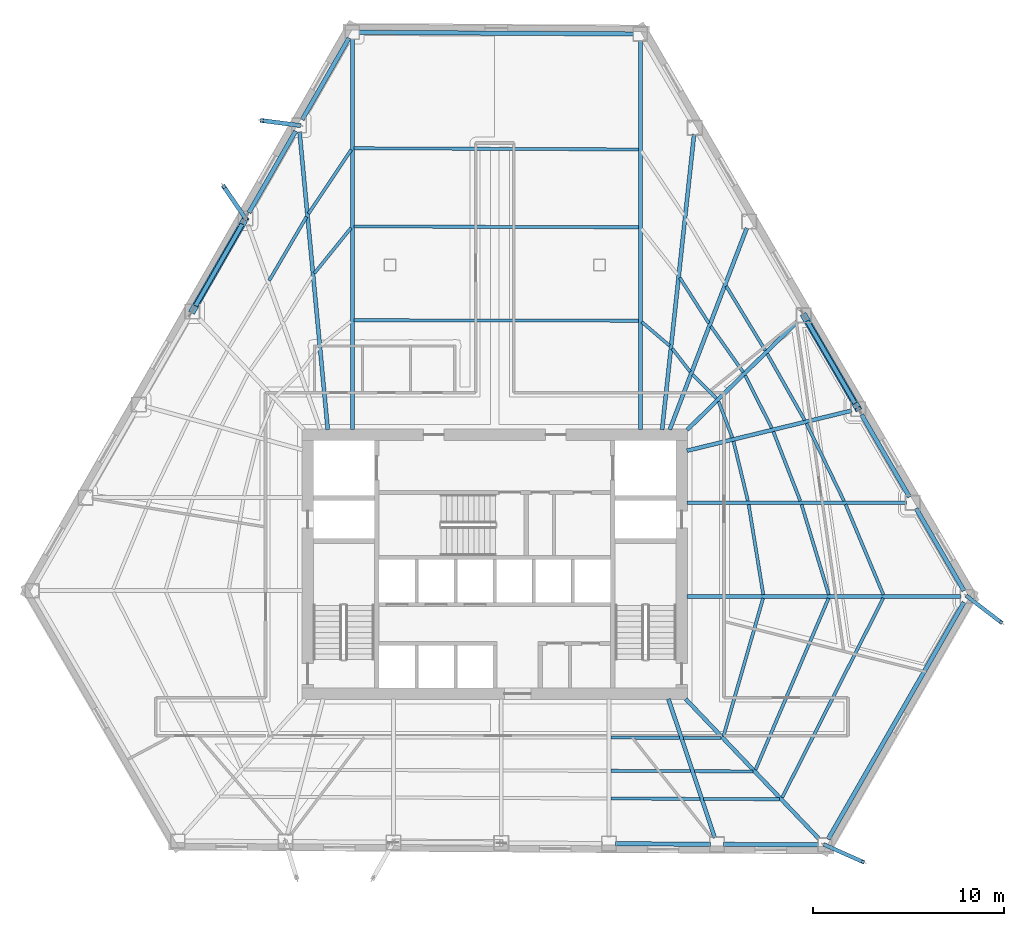
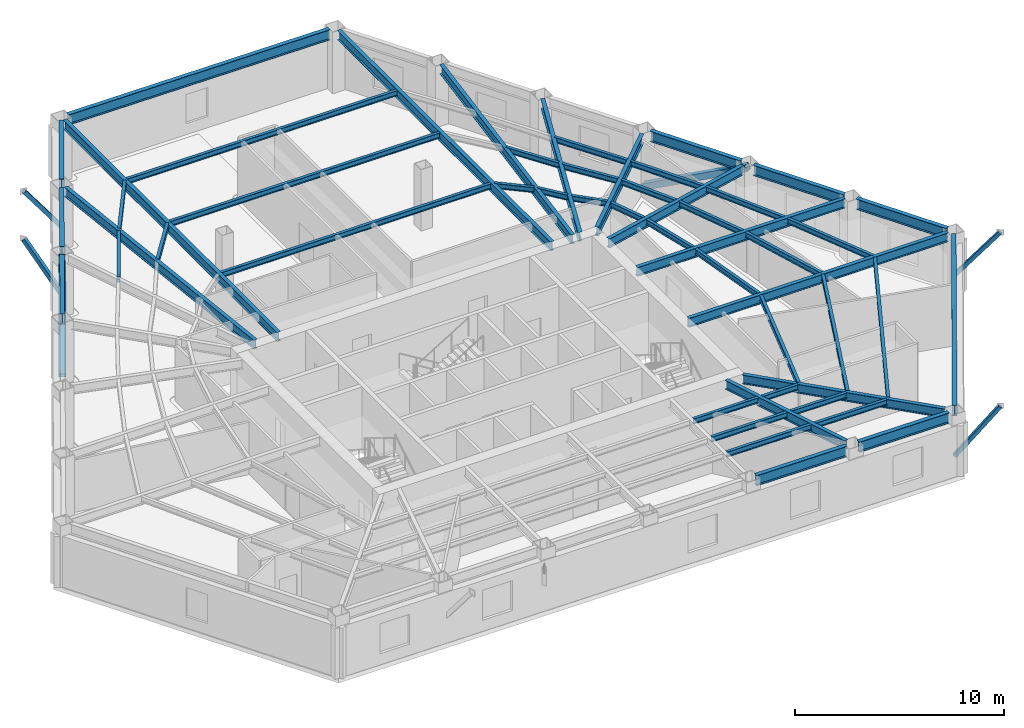
# One storey, part 2 of 12: 51 beams, 6 members.
"""IFC4 building model written with IfcOpenShell, lengths in metres."""

import ifcopenshell
import ifcopenshell.guid

model = None  # the IFC model being written
_history = None  # IfcOwnerHistory: only IFC2X3 demands one
_inside = {}  # id of a spatial element -> (the spatial element, [elements in it])
_under = {}  # id of a project, library or spatial element -> (it, [spatial elements below it])
_declared = {}  # id of a project -> (the project, [libraries it declares])
_typed = {}  # id of a type object -> (the type object, [elements of that type])
_made_of = {}  # id of a material, layer set ... -> (it, [elements and type objects made of it])


def new_model(schema):
    """Start an empty IFC model of exactly this schema.

    Asked for "IFC4X3", IfcOpenShell would pick the latest addendum, in which some entities
    have other attributes; the version numbers below select the first issue.
    IFC2X3 requires an IfcOwnerHistory on every rooted entity: one is made here for all.
    """
    global model, _history
    if schema == "IFC4X3":
        model = ifcopenshell.file(schema_version=(4, 3, 0, 0))
    else:
        model = ifcopenshell.file(schema=schema)
    _inside.clear()
    _under.clear()
    _declared.clear()
    _typed.clear()
    _made_of.clear()
    _history = None
    if model.schema == "IFC2X3":
        org = make("IfcOrganization", Name="unknown")
        user = make(
            "IfcPersonAndOrganization",
            ThePerson=make("IfcPerson", FamilyName="unknown"),
            TheOrganization=org,
        )
        app = make(
            "IfcApplication",
            ApplicationDeveloper=org,
            Version="unknown",
            ApplicationFullName="unknown",
            ApplicationIdentifier="unknown",
        )
        _history = make(
            "IfcOwnerHistory",
            OwningUser=user,
            OwningApplication=app,
            ChangeAction="ADDED",
            CreationDate=0,
        )
    return model


def make(cls, **values):
    """One entity of the class cls with the attributes given. An attribute that is None is left unset."""
    return model.create_entity(
        cls, **{name: value for name, value in values.items() if value is not None}
    )


def rooted(cls, **values):
    """An entity with a GlobalId (a new one), such as an element, a storey or a relation."""
    return make(cls, GlobalId=ifcopenshell.guid.new(), OwnerHistory=_history, **values)


def si_unit(unit_type, name, prefix=None):
    """IfcSIUnit, for example si_unit("LENGTHUNIT", "METRE", prefix="MILLI")."""
    return make("IfcSIUnit", UnitType=unit_type, Prefix=prefix, Name=name)


def assignment(units):
    """IfcUnitAssignment: the units of a project."""
    return None if units is None else make("IfcUnitAssignment", Units=units)


def point(xyz):
    """IfcCartesianPoint."""
    return None if xyz is None else make("IfcCartesianPoint", Coordinates=xyz)


def direction(xyz):
    """IfcDirection."""
    return None if xyz is None else make("IfcDirection", DirectionRatios=xyz)


def frame(location, z_axis=None, x_axis=None):
    """IfcAxis2Placement3D, a coordinate frame: its origin and axes. An axis left out is left unset."""
    return make(
        "IfcAxis2Placement3D",
        Location=point(location),
        Axis=direction(z_axis),
        RefDirection=direction(x_axis),
    )


def frame_2d(location, x_axis=None):
    """IfcAxis2Placement2D, a coordinate frame in the plane: its origin and x axis."""
    return make(
        "IfcAxis2Placement2D", Location=point(location), RefDirection=direction(x_axis)
    )


def origin():
    """The frame at (0, 0, 0) with its axes left unset."""
    return frame((0.0, 0.0, 0.0))


def origin_2d():
    """The frame at (0, 0) in the plane with its x axis left unset."""
    return frame_2d((0.0, 0.0))


def place(relative_to, where):
    """IfcLocalPlacement: puts the frame where relative to a parent placement (None: the world)."""
    return make(
        "IfcLocalPlacement", PlacementRelTo=relative_to, RelativePlacement=where
    )


def context(
    kind, dimensions, precision=None, world=None, true_north=None, identifier=None
):
    """IfcGeometricRepresentationContext, for example the 3D "Model" context."""
    return make(
        "IfcGeometricRepresentationContext",
        ContextIdentifier=identifier,
        ContextType=kind,
        CoordinateSpaceDimension=dimensions,
        Precision=precision,
        WorldCoordinateSystem=world,
        TrueNorth=true_north,
    )


def subcontext(parent, identifier, kind, view, scale=None):
    """IfcGeometricRepresentationSubContext, for example "Body" below "Model"."""
    return make(
        "IfcGeometricRepresentationSubContext",
        ContextIdentifier=identifier,
        ContextType=kind,
        ParentContext=parent,
        TargetScale=scale,
        TargetView=view,
    )


def project(units=None, contexts=None):
    """IfcProject with its units and contexts."""
    return rooted(
        "IfcProject",
        Name="project",
        RepresentationContexts=contexts,
        UnitsInContext=assignment(units),
    )


def spatial(cls, under=None, at=None, **own):
    """A site, building, storey or space (cls), placed at a placement, below another one or the project."""
    s = rooted(cls, ObjectPlacement=at, **own)
    if under is not None:
        _under.setdefault(under.id(), (under, []))[1].append(s)
    return s


def profile(cls, at=None, kind="AREA", **sizes):
    """A parametric profile (cls). Its sizes go by their IFC names, for example OverallWidth=200.0."""
    return make(cls, ProfileType=kind, Position=at, **sizes)


def hollow_rectangle(**sizes):
    """IfcRectangleHollowProfileDef."""
    return profile("IfcRectangleHollowProfileDef", **sizes)


def i_section(**sizes):
    """IfcIShapeProfileDef."""
    return profile("IfcIShapeProfileDef", **sizes)


def extrude(swept, where, along, depth):
    """IfcExtrudedAreaSolid: the profile swept, set in the frame where, extruded along a direction by depth."""
    return make(
        "IfcExtrudedAreaSolid",
        SweptArea=swept,
        Position=where,
        ExtrudedDirection=direction(along),
        Depth=depth,
    )


def shape(context_of_items, identifier, shape_type, items):
    """IfcShapeRepresentation: the items that make up one representation, for example the "Body"."""
    return make(
        "IfcShapeRepresentation",
        ContextOfItems=context_of_items,
        RepresentationIdentifier=identifier,
        RepresentationType=shape_type,
        Items=items,
    )


def material(Name=None, Category=None):
    """IfcMaterial."""
    return make("IfcMaterial", Name=Name, Category=Category)


def material_profile(
    of_material, cross_section, Name=None, Category=None, Priority=None
):
    """IfcMaterialProfile: a cross section and its material."""
    return make(
        "IfcMaterialProfile",
        Name=Name,
        Material=of_material,
        Profile=cross_section,
        Priority=Priority,
        Category=Category,
    )


def profile_set(profiles, Name=None, composite=None):
    """IfcMaterialProfileSet."""
    return make(
        "IfcMaterialProfileSet",
        Name=Name,
        MaterialProfiles=profiles,
        CompositeProfile=composite,
    )


def made_of(thing, what):
    """Note that an element or type object is made of a material, layer set ...; save() writes the relation."""
    if what is not None:
        _made_of.setdefault(what.id(), (what, []))[1].append(thing)
    return thing


def type_object(cls, material=None, **own):
    """A type object (cls), such as IfcWallType, which elements share."""
    return made_of(rooted(cls, **own), material)


def element(
    cls,
    number,
    at=None,
    inside=None,
    cuts=None,
    type_object=None,
    material=None,
    context=None,
    identifier="Body",
    shape_type=None,
    held_by="IfcProductDefinitionShape",
    body=None,
    shapes=None,
    **own,
):
    """One element of the class cls, such as IfcWall. Its Tag is "e" and its number.

    at: its placement. inside: the storey or other place that contains it. cuts: it is an
    opening in that element (IfcRelVoidsElement). A single representation is given by context,
    identifier, shape_type and body (its items); several are given by shapes. held_by: the class
    of the entity that holds the representations. save() writes the other relations.
    """
    e = rooted(cls, Tag="e%d" % number, ObjectPlacement=at, **own)
    if body is not None:
        shapes = [shape(context, identifier, shape_type, body)]
    if shapes is not None:
        e.Representation = make(held_by, Representations=shapes)
    if inside is not None:
        _inside.setdefault(inside.id(), (inside, []))[1].append(e)
    if cuts is not None:
        rooted(
            "IfcRelVoidsElement", RelatingBuildingElement=cuts, RelatedOpeningElement=e
        )
    if type_object is not None:
        _typed.setdefault(type_object.id(), (type_object, []))[1].append(e)
    return made_of(e, material)


def aggregate(whole, parts):
    """IfcRelAggregates: a whole, such as a stair, and the parts it consists of."""
    return rooted("IfcRelAggregates", RelatingObject=whole, RelatedObjects=parts)


def save(model, path):
    """Write the relations noted so far, then the file.

    IfcRelAggregates (storeys below a building ...), IfcRelContainedInSpatialStructure (elements
    in a storey), IfcRelDefinesByType, IfcRelAssociatesMaterial and IfcRelDeclares: one each for
    every whole, place, type object, material and project.
    """
    for whole, parts in _under.values():
        aggregate(whole, parts)
    for where, things in _inside.values():
        rooted(
            "IfcRelContainedInSpatialStructure",
            RelatedElements=things,
            RelatingStructure=where,
        )
    for kind, things in _typed.values():
        rooted("IfcRelDefinesByType", RelatedObjects=things, RelatingType=kind)
    for what, things in _made_of.values():
        rooted("IfcRelAssociatesMaterial", RelatedObjects=things, RelatingMaterial=what)
    for by, libraries in _declared.values():
        rooted("IfcRelDeclares", RelatingContext=by, RelatedDefinitions=libraries)
    model.write(path)


model = new_model("IFC4")

# Units and contexts
model_context = context("Model", 3, precision=1e-05, world=origin(), true_north=direction((0.0, 1.0)))
body_context = subcontext(model_context, "Body", "Model", "MODEL_VIEW")
ifc_project = project(units=[si_unit("LENGTHUNIT", "METRE"), si_unit("AREAUNIT", "SQUARE_METRE"), si_unit("VOLUMEUNIT", "CUBIC_METRE"), si_unit("PLANEANGLEUNIT", "RADIAN"), si_unit("MASSUNIT", "GRAM", prefix="KILO")], contexts=[model_context])

# Site, building, storey
site_placement = place(None, origin())
site = spatial("IfcSite", under=ifc_project, at=site_placement, CompositionType="ELEMENT")
building_placement = place(site_placement, origin())
building = spatial("IfcBuilding", under=site, at=building_placement, Name="Kavelnor Concourse Tower", CompositionType="ELEMENT")
storey_placement = place(building_placement, frame((0.0, 0.0, 44.5)))
storey = spatial("IfcBuildingStorey", under=building, at=storey_placement, Name="L11", CompositionType="ELEMENT", Elevation=44.5)

# Beams
ifc_material = material(Name="Steel Grade 350", Category="steel")
ifc_material_profile_1 = material_profile(ifc_material, i_section(OverallWidth=0.166015625, OverallDepth=0.306884765625, WebThickness=0.006591796875, FlangeThickness=0.01171875, at=origin_2d()), Name="310UB46")
ifc_profile_set_1 = profile_set([ifc_material_profile_1], Name="Steel Grade 350")
beam_type_1 = type_object("IfcBeamType", Name="BM-JOIST-310", PredefinedType="JOIST", material=ifc_profile_set_1)
beam_1_placement = place(storey_placement, frame((44.097900390625, 7.0078125, 3.4365234375), z_axis=(0.999996307913, -0.002717381272, 0.0), x_axis=(0.002717381272, 0.999996307913, 0.0)))
element("IfcBeam", 1, at=beam_1_placement, inside=storey, type_object=beam_type_1, Name="L11 Secondary Composite Joist 06-1", PredefinedType="JOIST", context=body_context, shape_type="SweptSolid", body=[
    extrude(i_section(OverallWidth=0.166015625, OverallDepth=0.306884765625, WebThickness=0.006591796875, FlangeThickness=0.01171875, at=origin_2d()), origin(), (0.0, 0.0, 1.0), 3.59375),
])
beam_2_placement = place(storey_placement, frame((44.097900390625, 5.26611328125, 3.4365234375), z_axis=(0.999991871497, -0.004031989665, 0.0), x_axis=(0.004031989665, 0.999991871497, 0.0)))
element("IfcBeam", 2, at=beam_2_placement, inside=storey, type_object=beam_type_1, Name="L11 Secondary Composite Joist 06-2", PredefinedType="JOIST", context=body_context, shape_type="SweptSolid", body=[
    extrude(i_section(OverallWidth=0.166015625, OverallDepth=0.306884765625, WebThickness=0.006591796875, FlangeThickness=0.01171875, at=origin_2d()), origin(), (0.0, 0.0, 1.0), 4.177978515625),
])
beam_3_placement = place(storey_placement, frame((44.097900390625, 3.814697265625, 3.4365234375), z_axis=(0.999988154779, -0.004867268456, 0.0), x_axis=(0.004867268456, 0.999988154779, 0.0)))
element("IfcBeam", 3, at=beam_3_placement, inside=storey, type_object=beam_type_1, Name="L11 Secondary Composite Joist 06-3", PredefinedType="JOIST", context=body_context, shape_type="SweptSolid", body=[
    extrude(i_section(OverallWidth=0.166015625, OverallDepth=0.306884765625, WebThickness=0.006591796875, FlangeThickness=0.01171875, at=origin_2d()), origin(), (0.0, 0.0, 1.0), 4.664794921875),
])
beam_4_placement = place(storey_placement, frame((47.888671875, 6.9970703125, 3.4365234375), z_axis=(0.999981056302, -0.006155244714, 0.0), x_axis=(0.006155244714, 0.999981056302, 0.0)))
element("IfcBeam", 4, at=beam_4_placement, inside=storey, type_object=beam_type_1, Name="L11 Secondary Composite Joist 07-1", PredefinedType="JOIST", context=body_context, shape_type="SweptSolid", body=[
    extrude(i_section(OverallWidth=0.166015625, OverallDepth=0.306884765625, WebThickness=0.006591796875, FlangeThickness=0.01171875, at=origin_2d()), origin(), (0.0, 0.0, 1.0), 1.983154296875),
])
beam_5_placement = place(storey_placement, frame((48.472900390625, 5.248291015625, 3.4365234375), z_axis=(0.999986218095, -0.005250106626, 0.0), x_axis=(0.005250106626, 0.999986218095, 0.0)))
element("IfcBeam", 5, at=beam_5_placement, inside=storey, type_object=beam_type_1, Name="L11 Secondary Composite Joist 07-2", PredefinedType="JOIST", context=body_context, shape_type="SweptSolid", body=[
    extrude(i_section(OverallWidth=0.166015625, OverallDepth=0.306884765625, WebThickness=0.006591796875, FlangeThickness=0.01171875, at=origin_2d()), origin(), (0.0, 0.0, 1.0), 3.069091796875),
])
beam_6_placement = place(storey_placement, frame((48.959716796875, 3.791015625, 3.4365234375), z_axis=(0.999987922046, -0.004914851248, 0.0), x_axis=(0.004914851248, 0.999987922046, 0.0)))
element("IfcBeam", 6, at=beam_6_placement, inside=storey, type_object=beam_type_1, Name="L11 Secondary Composite Joist 07-3", PredefinedType="JOIST", context=body_context, shape_type="SweptSolid", body=[
    extrude(i_section(OverallWidth=0.166015625, OverallDepth=0.306884765625, WebThickness=0.006591796875, FlangeThickness=0.01171875, at=origin_2d()), origin(), (0.0, 0.0, 1.0), 3.973876953125),
])
beam_7_placement = place(storey_placement, frame((49.99755859375, 7.078857421875, 3.4365234375), z_axis=(0.2760528272, 0.961142464255, 0.0), x_axis=(-0.961142464255, 0.2760528272, 0.0)))
element("IfcBeam", 7, at=beam_7_placement, inside=storey, type_object=beam_type_1, Name="L11 Secondary Composite Joist 08-1", PredefinedType="JOIST", context=body_context, shape_type="SweptSolid", body=[
    extrude(i_section(OverallWidth=0.166015625, OverallDepth=0.306884765625, WebThickness=0.006591796875, FlangeThickness=0.01171875, at=origin_2d()), origin(), (0.0, 0.0, 1.0), 7.52880859375),
])
beam_8_placement = place(storey_placement, frame((51.678955078125, 5.322265625, 3.4365234375), z_axis=(0.392026404767, 0.919953965134, 0.0), x_axis=(-0.919953965134, 0.392026404767, 0.0)))
element("IfcBeam", 8, at=beam_8_placement, inside=storey, type_object=beam_type_1, Name="L11 Secondary Composite Joist 08-2", PredefinedType="JOIST", context=body_context, shape_type="SweptSolid", body=[
    extrude(i_section(OverallWidth=0.166015625, OverallDepth=0.306884765625, WebThickness=0.006591796875, FlangeThickness=0.01171875, at=origin_2d()), origin(), (0.0, 0.0, 1.0), 9.780029296875),
])
beam_9_placement = place(storey_placement, frame((53.07666015625, 3.85888671875, 3.4365234375), z_axis=(0.452159977009, 0.891936856056, 0.0), x_axis=(-0.891936856056, 0.452159977009, 0.0)))
element("IfcBeam", 9, at=beam_9_placement, inside=storey, type_object=beam_type_1, Name="L11 Secondary Composite Joist 08-3", PredefinedType="JOIST", context=body_context, shape_type="SweptSolid", body=[
    extrude(i_section(OverallWidth=0.166015625, OverallDepth=0.306884765625, WebThickness=0.006591796875, FlangeThickness=0.01171875, at=origin_2d()), origin(), (0.0, 0.0, 1.0), 11.730712890625),
])
beam_10_placement = place(storey_placement, frame((52.08740234375, 14.507080078125, 3.4365234375), z_axis=(-0.16065017454, 0.987011408962, 0.0), x_axis=(-0.987011408962, -0.16065017454, 0.0)))
element("IfcBeam", 10, at=beam_10_placement, inside=storey, type_object=beam_type_1, Name="L11 Secondary Composite Joist 09-1", PredefinedType="JOIST", context=body_context, shape_type="SweptSolid", body=[
    extrude(i_section(OverallWidth=0.166015625, OverallDepth=0.306884765625, WebThickness=0.006591796875, FlangeThickness=0.01171875, at=origin_2d()), origin(), (0.0, 0.0, 1.0), 4.78564453125),
])
beam_11_placement = place(storey_placement, frame((55.523193359375, 14.504150390625, 3.4365234375), z_axis=(-0.289373707076, 0.957216202147, 0.0), x_axis=(-0.957216202147, -0.289373707076, 0.0)))
element("IfcBeam", 11, at=beam_11_placement, inside=storey, type_object=beam_type_1, Name="L11 Secondary Composite Joist 09-2", PredefinedType="JOIST", context=body_context, shape_type="SweptSolid", body=[
    extrude(i_section(OverallWidth=0.166015625, OverallDepth=0.306884765625, WebThickness=0.006591796875, FlangeThickness=0.01171875, at=origin_2d()), origin(), (0.0, 0.0, 1.0), 4.940673828125),
])
beam_12_placement = place(storey_placement, frame((58.38720703125, 14.500732421875, 3.4365234375), z_axis=(-0.386076923628, 0.922466589662, 0.0), x_axis=(-0.922466589662, -0.386076923628, 0.0)))
element("IfcBeam", 12, at=beam_12_placement, inside=storey, type_object=beam_type_1, Name="L11 Secondary Composite Joist 09-3", PredefinedType="JOIST", context=body_context, shape_type="SweptSolid", body=[
    extrude(i_section(OverallWidth=0.166015625, OverallDepth=0.306884765625, WebThickness=0.006591796875, FlangeThickness=0.01171875, at=origin_2d()), origin(), (0.0, 0.0, 1.0), 5.134033203125),
])
beam_13_placement = place(storey_placement, frame((51.279541015625, 19.42333984375, 3.4365234375), z_axis=(-0.234346164123, 0.972153215991, 0.0), x_axis=(-0.972153215991, -0.234346164123, 0.0)))
element("IfcBeam", 13, at=beam_13_placement, inside=storey, type_object=beam_type_1, Name="L11 Secondary Composite Joist 10-1", PredefinedType="JOIST", context=body_context, shape_type="SweptSolid", body=[
    extrude(i_section(OverallWidth=0.166015625, OverallDepth=0.306884765625, WebThickness=0.006591796875, FlangeThickness=0.01171875, at=origin_2d()), origin(), (0.0, 0.0, 1.0), 3.216064453125),
])
beam_14_placement = place(storey_placement, frame((54.029296875, 19.41943359375, 3.4365234375), z_axis=(-0.362394975476, 0.932024614348, 0.0), x_axis=(-0.932024614348, -0.362394975476, 0.0)))
element("IfcBeam", 14, at=beam_14_placement, inside=storey, type_object=beam_type_1, Name="L11 Secondary Composite Joist 10-2", PredefinedType="JOIST", context=body_context, shape_type="SweptSolid", body=[
    extrude(i_section(OverallWidth=0.166015625, OverallDepth=0.306884765625, WebThickness=0.006591796875, FlangeThickness=0.01171875, at=origin_2d()), origin(), (0.0, 0.0, 1.0), 3.9052734375),
])
beam_15_placement = place(storey_placement, frame((56.323974609375, 19.416259765625, 3.4365234375), z_axis=(-0.436423231868, 0.899741497701, 0.0), x_axis=(-0.899741497701, -0.436423231868, 0.0)))
element("IfcBeam", 15, at=beam_15_placement, inside=storey, type_object=beam_type_1, Name="L11 Secondary Composite Joist 10-3", PredefinedType="JOIST", context=body_context, shape_type="SweptSolid", body=[
    extrude(i_section(OverallWidth=0.166015625, OverallDepth=0.306884765625, WebThickness=0.006591796875, FlangeThickness=0.01171875, at=origin_2d()), origin(), (0.0, 0.0, 1.0), 4.5205078125),
])
beam_16_placement = place(storey_placement, frame((50.4677734375, 22.737548828125, 3.4365234375), z_axis=(-0.356119853059, 0.934440287155, 0.0), x_axis=(-0.934440287155, -0.356119853059, 0.0)))
element("IfcBeam", 16, at=beam_16_placement, inside=storey, type_object=beam_type_1, Name="L11 Secondary Composite Joist 11-1", PredefinedType="JOIST", context=body_context, shape_type="SweptSolid", body=[
    extrude(i_section(OverallWidth=0.166015625, OverallDepth=0.306884765625, WebThickness=0.006591796875, FlangeThickness=0.01171875, at=origin_2d()), origin(), (0.0, 0.0, 1.0), 2.0380859375),
])
beam_17_placement = place(storey_placement, frame((52.533935546875, 23.239013671875, 3.4365234375), z_axis=(-0.450768339609, 0.892640971503, 0.0), x_axis=(-0.892640971503, -0.450768339609, 0.0)))
element("IfcBeam", 17, at=beam_17_placement, inside=storey, type_object=beam_type_1, Name="L11 Secondary Composite Joist 11-2", PredefinedType="JOIST", context=body_context, shape_type="SweptSolid", body=[
    extrude(i_section(OverallWidth=0.166015625, OverallDepth=0.306884765625, WebThickness=0.006591796875, FlangeThickness=0.01171875, at=origin_2d()), origin(), (0.0, 0.0, 1.0), 3.101318359375),
])
beam_18_placement = place(storey_placement, frame((54.259765625, 23.658203125, 3.4365234375), z_axis=(-0.491289146529, 0.87099654104, 0.0), x_axis=(-0.87099654104, -0.491289146529, 0.0)))
element("IfcBeam", 18, at=beam_18_placement, inside=storey, type_object=beam_type_1, Name="L11 Secondary Composite Joist 11-3", PredefinedType="JOIST", context=body_context, shape_type="SweptSolid", body=[
    extrude(i_section(OverallWidth=0.166015625, OverallDepth=0.306884765625, WebThickness=0.006591796875, FlangeThickness=0.01171875, at=origin_2d()), origin(), (0.0, 0.0, 1.0), 4.001953125),
])
beam_19_placement = place(storey_placement, frame((49.63720703125, 24.8037109375, 3.4365234375), z_axis=(-0.708689054357, 0.705520959459, 0.0), x_axis=(-0.705520959459, -0.708689054357, 0.0)))
element("IfcBeam", 19, at=beam_19_placement, inside=storey, type_object=beam_type_1, Name="L11 Secondary Composite Joist 12-1", PredefinedType="JOIST", context=body_context, shape_type="SweptSolid", body=[
    extrude(i_section(OverallWidth=0.166015625, OverallDepth=0.306884765625, WebThickness=0.006591796875, FlangeThickness=0.01171875, at=origin_2d()), origin(), (0.0, 0.0, 1.0), 1.7724609375),
])
beam_20_placement = place(storey_placement, frame((51.03466796875, 26.17578125, 3.4365234375), z_axis=(-0.576292357933, 0.817243610062, 0.0), x_axis=(-0.817243610062, -0.576292357933, 0.0)))
element("IfcBeam", 20, at=beam_20_placement, inside=storey, type_object=beam_type_1, Name="L11 Secondary Composite Joist 12-2", PredefinedType="JOIST", context=body_context, shape_type="SweptSolid", body=[
    extrude(i_section(OverallWidth=0.166015625, OverallDepth=0.306884765625, WebThickness=0.006591796875, FlangeThickness=0.01171875, at=origin_2d()), origin(), (0.0, 0.0, 1.0), 2.943359375),
])
beam_21_placement = place(storey_placement, frame((52.194091796875, 27.313720703125, 3.4365234375), z_axis=(-0.51921015962, 0.854646599565, 0.0), x_axis=(-0.854646599565, -0.51921015962, 0.0)))
element("IfcBeam", 21, at=beam_21_placement, inside=storey, type_object=beam_type_1, Name="L11 Secondary Composite Joist 12-3", PredefinedType="JOIST", context=body_context, shape_type="SweptSolid", body=[
    extrude(i_section(OverallWidth=0.166015625, OverallDepth=0.306884765625, WebThickness=0.006591796875, FlangeThickness=0.01171875, at=origin_2d()), origin(), (0.0, 0.0, 1.0), 3.95361328125),
])
beam_22_placement = place(storey_placement, frame((48.251220703125, 26.20166015625, 3.4365234375), z_axis=(-0.611415952128, 0.79130937912, 0.0), x_axis=(-0.79130937912, -0.611415952128, 0.0)))
element("IfcBeam", 22, at=beam_22_placement, inside=storey, type_object=beam_type_1, Name="L11 Secondary Composite Joist 13-1", PredefinedType="JOIST", context=body_context, shape_type="SweptSolid", body=[
    extrude(i_section(OverallWidth=0.166015625, OverallDepth=0.306884765625, WebThickness=0.006591796875, FlangeThickness=0.01171875, at=origin_2d()), origin(), (0.0, 0.0, 1.0), 1.541748046875),
])
beam_23_placement = place(storey_placement, frame((49.228759765625, 28.744873046875, 3.4365234375), z_axis=(-0.537516015191, 0.84325354041, 0.0), x_axis=(-0.84325354041, -0.537516015191, 0.0)))
element("IfcBeam", 23, at=beam_23_placement, inside=storey, type_object=beam_type_1, Name="L11 Secondary Composite Joist 13-2", PredefinedType="JOIST", context=body_context, shape_type="SweptSolid", body=[
    extrude(i_section(OverallWidth=0.166015625, OverallDepth=0.306884765625, WebThickness=0.006591796875, FlangeThickness=0.01171875, at=origin_2d()), origin(), (0.0, 0.0, 1.0), 2.835693359375),
])
beam_24_placement = place(storey_placement, frame((47.173583984375, 27.5634765625, 3.4365234375), z_axis=(-0.760509468425, 0.649326842534, 0.0), x_axis=(-0.649326842534, -0.760509468425, 0.0)))
element("IfcBeam", 24, at=beam_24_placement, inside=storey, type_object=beam_type_1, Name="L11 Secondary Composite Joist 14-1", PredefinedType="JOIST", context=body_context, shape_type="SweptSolid", body=[
    extrude(i_section(OverallWidth=0.166015625, OverallDepth=0.306884765625, WebThickness=0.006591796875, FlangeThickness=0.01171875, at=origin_2d()), origin(), (0.0, 0.0, 1.0), 1.923583984375),
])
for number, where, z_axis, x_axis, name in (
    (25, (45.537353515625, 28.876708984375, 3.4365234375), (-0.999998605651, 0.001669938732, 0.0), (-0.001669938732, -0.999998605651, 0.0), "L11 Secondary Composite Joist 15-1"),
    (26, (45.537353515625, 33.776611328125, 3.4365234375), (-0.999995161887, 0.003110659475, 0.0), (-0.003110659475, -0.999995161887, 0.0), "L11 Secondary Composite Joist 15-2"),
):
    element("IfcBeam", number, at=place(storey_placement, frame(where, z_axis=z_axis, x_axis=x_axis)), inside=storey, type_object=beam_type_1, Name=name, PredefinedType="JOIST", context=body_context, shape_type="SweptSolid", body=[
        extrude(i_section(OverallWidth=0.166015625, OverallDepth=0.306884765625, WebThickness=0.006591796875, FlangeThickness=0.01171875, at=origin_2d()), origin(), (0.0, 0.0, 1.0), 14.912109375),
    ])
beam_25_placement = place(storey_placement, frame((45.537353515625, 37.85986328125, 3.4365234375), z_axis=(-0.99999073005, 0.004305788507, 0.0), x_axis=(-0.004305788507, -0.99999073005, 0.0)))
element("IfcBeam", 27, at=beam_25_placement, inside=storey, type_object=beam_type_1, Name="L11 Secondary Composite Joist 15-3", PredefinedType="JOIST", context=body_context, shape_type="SweptSolid", body=[
    extrude(i_section(OverallWidth=0.166015625, OverallDepth=0.306884765625, WebThickness=0.006591796875, FlangeThickness=0.01171875, at=origin_2d()), origin(), (0.0, 0.0, 1.0), 14.912353515625),
])
beam_26_placement = place(storey_placement, frame((30.464599609375, 33.74658203125, 3.4365234375), z_axis=(-0.62925314345, -0.777200412672, 0.0), x_axis=(0.777200412672, -0.62925314345, 0.0)))
element("IfcBeam", 28, at=beam_26_placement, inside=storey, type_object=beam_type_1, Name="L11 Secondary Composite Joist 16-2", PredefinedType="JOIST", context=body_context, shape_type="SweptSolid", body=[
    extrude(i_section(OverallWidth=0.166015625, OverallDepth=0.306884765625, WebThickness=0.006591796875, FlangeThickness=0.01171875, at=origin_2d()), origin(), (0.0, 0.0, 1.0), 3.0693359375),
])
beam_27_placement = place(storey_placement, frame((30.471923828125, 37.8427734375, 3.4365234375), z_axis=(-0.556082592387, -0.831127036285, 0.0), x_axis=(0.831127036285, -0.556082592387, 0.0)))
element("IfcBeam", 29, at=beam_27_placement, inside=storey, type_object=beam_type_1, Name="L11 Secondary Composite Joist 16-3", PredefinedType="JOIST", context=body_context, shape_type="SweptSolid", body=[
    extrude(i_section(OverallWidth=0.166015625, OverallDepth=0.306884765625, WebThickness=0.006591796875, FlangeThickness=0.01171875, at=origin_2d()), origin(), (0.0, 0.0, 1.0), 4.032470703125),
])
beam_28_placement = place(storey_placement, frame((28.125, 34.32421875, 3.4365234375), z_axis=(-0.505111706326, -0.863053975214, 0.0), x_axis=(0.863053975214, -0.505111706326, 0.0)))
element("IfcBeam", 30, at=beam_28_placement, inside=storey, type_object=beam_type_1, Name="L11 Secondary Composite Joist 17-3", PredefinedType="JOIST", context=body_context, shape_type="SweptSolid", body=[
    extrude(i_section(OverallWidth=0.166015625, OverallDepth=0.306884765625, WebThickness=0.006591796875, FlangeThickness=0.01171875, at=origin_2d()), origin(), (0.0, 0.0, 1.0), 3.876953125),
])
ifc_material_profile_2 = material_profile(ifc_material, i_section(OverallWidth=0.208984375, OverallDepth=0.528076171875, WebThickness=0.009521484375, FlangeThickness=0.01318359375, at=origin_2d()), Name="530UB82")
ifc_profile_set_2 = profile_set([ifc_material_profile_2], Name="Steel Grade 350")
beam_type_2 = type_object("IfcBeamType", Name="BM-PRIMARY-530", PredefinedType="BEAM", material=ifc_profile_set_2)
beam_29_placement = place(storey_placement, frame((30.526611328125, 23.159912109375, 3.325927734375), z_axis=(0.0, 1.0, 0.0), x_axis=(-1.0, 0.0, 0.0)))
element("IfcBeam", 31, at=beam_29_placement, inside=storey, type_object=beam_type_2, Name="L11 Primary Floor Girder F0-B0", PredefinedType="BEAM", context=body_context, shape_type="SweptSolid", body=[
    extrude(i_section(OverallWidth=0.208984375, OverallDepth=0.528076171875, WebThickness=0.009521484375, FlangeThickness=0.01318359375, at=origin_2d()), origin(), (0.0, 0.0, 1.0), 20.50634765625),
])
beam_30_placement = place(storey_placement, frame((29.241455078125, 23.16015625, 3.325927734375), z_axis=(-0.094396506596, 0.995534680231, 0.0), x_axis=(-0.995534680231, -0.094396506596, 0.0)))
element("IfcBeam", 32, at=beam_30_placement, inside=storey, type_object=beam_type_2, Name="L11 Primary Floor Girder F0-B1", PredefinedType="BEAM", context=body_context, shape_type="SweptSolid", body=[
    extrude(i_section(OverallWidth=0.208984375, OverallDepth=0.528076171875, WebThickness=0.009521484375, FlangeThickness=0.01318359375, at=origin_2d()), origin(), (0.0, 0.0, 1.0), 15.69384765625),
])
beam_31_placement = place(storey_placement, frame((47.1083984375, 9.037841796875, 3.325927734375), z_axis=(0.316904587617, -0.948457422527, 0.0), x_axis=(0.948457422527, 0.316904587617, 0.0)))
element("IfcBeam", 33, at=beam_31_placement, inside=storey, type_object=beam_type_2, Name="L11 Primary Floor Girder F1-B5", PredefinedType="BEAM", context=body_context, shape_type="SweptSolid", body=[
    extrude(i_section(OverallWidth=0.208984375, OverallDepth=0.528076171875, WebThickness=0.009521484375, FlangeThickness=0.01318359375, at=origin_2d()), origin(), (0.0, 0.0, 1.0), 7.682373046875),
])
beam_32_placement = place(storey_placement, frame((48.021728515625, 9.029052734375, 3.325927734375), z_axis=(0.689863036486, -0.723939908342, 0.0), x_axis=(0.723939908342, 0.689863036486, 0.0)))
element("IfcBeam", 34, at=beam_32_placement, inside=storey, type_object=beam_type_2, Name="L11 Primary Floor Girder F1-B6", PredefinedType="BEAM", context=body_context, shape_type="SweptSolid", body=[
    extrude(i_section(OverallWidth=0.208984375, OverallDepth=0.528076171875, WebThickness=0.009521484375, FlangeThickness=0.01318359375, at=origin_2d()), origin(), (0.0, 0.0, 1.0), 10.08740234375),
])
beam_33_placement = place(storey_placement, frame((48.080078125, 14.409912109375, 3.325927734375), z_axis=(1.0, 0.0, 0.0), x_axis=(0.0, 1.0, 0.0)))
element("IfcBeam", 35, at=beam_33_placement, inside=storey, type_object=beam_type_2, Name="L11 Primary Floor Girder F2-B0", PredefinedType="BEAM", context=body_context, shape_type="SweptSolid", body=[
    extrude(i_section(OverallWidth=0.208984375, OverallDepth=0.528076171875, WebThickness=0.009521484375, FlangeThickness=0.01318359375, at=origin_2d()), origin(), (0.0, 0.0, 1.0), 14.368408203125),
])
beam_34_placement = place(storey_placement, frame((48.080078125, 19.32763671875, 3.325927734375), z_axis=(1.0, 0.0, 0.0), x_axis=(0.0, 1.0, 0.0)))
element("IfcBeam", 36, at=beam_34_placement, inside=storey, type_object=beam_type_2, Name="L11 Primary Floor Girder F2-B1", PredefinedType="BEAM", context=body_context, shape_type="SweptSolid", body=[
    extrude(i_section(OverallWidth=0.208984375, OverallDepth=0.528076171875, WebThickness=0.009521484375, FlangeThickness=0.01318359375, at=origin_2d()), origin(), (0.0, 0.0, 1.0), 11.509521484375),
])
beam_35_placement = place(storey_placement, frame((48.0810546875, 22.055908203125, 3.325927734375), z_axis=(0.971603899278, 0.236613319381, 0.0), x_axis=(-0.236613319381, 0.971603899278, 0.0)))
element("IfcBeam", 37, at=beam_35_placement, inside=storey, type_object=beam_type_2, Name="L11 Primary Floor Girder F2-B2", PredefinedType="BEAM", context=body_context, shape_type="SweptSolid", body=[
    extrude(i_section(OverallWidth=0.208984375, OverallDepth=0.528076171875, WebThickness=0.009521484375, FlangeThickness=0.01318359375, at=origin_2d()), origin(), (0.0, 0.0, 1.0), 8.9013671875),
])
beam_36_placement = place(storey_placement, frame((48.091552734375, 23.146484375, 3.325927734375), z_axis=(0.713146885271, 0.701014636101, 0.0), x_axis=(-0.701014636101, 0.713146885271, 0.0)))
element("IfcBeam", 38, at=beam_36_placement, inside=storey, type_object=beam_type_2, Name="L11 Primary Floor Girder F2-B3", PredefinedType="BEAM", context=body_context, shape_type="SweptSolid", body=[
    extrude(i_section(OverallWidth=0.208984375, OverallDepth=0.528076171875, WebThickness=0.009521484375, FlangeThickness=0.01318359375, at=origin_2d()), origin(), (0.0, 0.0, 1.0), 8.089599609375),
])
beam_37_placement = place(storey_placement, frame((47.17919921875, 23.16259765625, 3.325927734375), z_axis=(0.357111459855, 0.934061778064, 0.0), x_axis=(-0.934061778064, 0.357111459855, 0.0)))
element("IfcBeam", 39, at=beam_37_placement, inside=storey, type_object=beam_type_2, Name="L11 Primary Floor Girder F2-B4", PredefinedType="BEAM", context=body_context, shape_type="SweptSolid", body=[
    extrude(i_section(OverallWidth=0.208984375, OverallDepth=0.528076171875, WebThickness=0.009521484375, FlangeThickness=0.01318359375, at=origin_2d()), origin(), (0.0, 0.0, 1.0), 11.322021484375),
])
beam_38_placement = place(storey_placement, frame((46.7783203125, 23.16015625, 3.325927734375), z_axis=(0.107735805366, 0.994179559356, 0.0), x_axis=(-0.994179559356, 0.107735805366, 0.0)))
element("IfcBeam", 40, at=beam_38_placement, inside=storey, type_object=beam_type_2, Name="L11 Primary Floor Girder F2-B5", PredefinedType="BEAM", context=body_context, shape_type="SweptSolid", body=[
    extrude(i_section(OverallWidth=0.208984375, OverallDepth=0.528076171875, WebThickness=0.009521484375, FlangeThickness=0.01318359375, at=origin_2d()), origin(), (0.0, 0.0, 1.0), 15.588623046875),
])
beam_39_placement = place(storey_placement, frame((45.6357421875, 23.159912109375, 3.325927734375), z_axis=(0.0, 1.0, 0.0), x_axis=(-1.0, 0.0, 0.0)))
element("IfcBeam", 41, at=beam_39_placement, inside=storey, type_object=beam_type_2, Name="L11 Primary Floor Girder F2-B6", PredefinedType="BEAM", context=body_context, shape_type="SweptSolid", body=[
    extrude(i_section(OverallWidth=0.208984375, OverallDepth=0.528076171875, WebThickness=0.009521484375, FlangeThickness=0.01318359375, at=origin_2d()), origin(), (0.0, 0.0, 1.0), 20.416015625),
])
ifc_material_profile_3 = material_profile(ifc_material, i_section(OverallWidth=0.22900390625, OverallDepth=0.612060546875, WebThickness=0.011962890625, FlangeThickness=0.01953125, at=origin_2d()), Name="610UB125")
ifc_profile_set_3 = profile_set([ifc_material_profile_3], Name="Steel Grade 350")
beam_type_3 = type_object("IfcBeamType", Name="BM-SPANDREL-Z1", PredefinedType="SPANDREL", material=ifc_profile_set_3)
for number, where, z_axis, x_axis, name in (
    (42, (30.35498046875, 43.70703125, 3.283935546875), (-0.497379150617, -0.867533273444, 0.0), (0.867533273444, -0.497379150617, 0.0), "L11 Perimeter Tube Spandrel Beam F0-B0"),
    (43, (27.555908203125, 38.824951171875, 3.283935546875), (-0.497379150617, -0.867533273444, 0.0), (0.867533273444, -0.497379150617, 0.0), "L11 Perimeter Tube Spandrel Beam F0-B1"),
):
    element("IfcBeam", number, at=place(storey_placement, frame(where, z_axis=z_axis, x_axis=x_axis)), inside=storey, type_object=beam_type_3, Name=name, PredefinedType="SPANDREL", context=body_context, shape_type="SweptSolid", body=[
        extrude(i_section(OverallWidth=0.22900390625, OverallDepth=0.612060546875, WebThickness=0.011962890625, FlangeThickness=0.01953125, at=origin_2d()), origin(), (0.0, 0.0, 1.0), 4.9375),
    ])
beam_40_placement = place(storey_placement, frame((24.7568359375, 33.94287109375, 3.283935546875), z_axis=(-0.497357815702, -0.867545504951, 0.0), x_axis=(0.867545504951, -0.497357815702, 0.0)))
element("IfcBeam", 44, at=beam_40_placement, inside=storey, type_object=beam_type_3, Name="L11 Perimeter Tube Spandrel Beam F0-B2", PredefinedType="SPANDREL", context=body_context, shape_type="SweptSolid", body=[
    extrude(i_section(OverallWidth=0.22900390625, OverallDepth=0.612060546875, WebThickness=0.011962890625, FlangeThickness=0.01953125, at=origin_2d()), origin(), (0.0, 0.0, 1.0), 4.937744140625),
])
beam_41_placement = place(storey_placement, frame((45.290771484375, 43.91796875, 3.283935546875), z_axis=(-0.999982138983, 0.005976764617, 0.0), x_axis=(-0.005976764617, -0.999982138983, 0.0)))
element("IfcBeam", 45, at=beam_41_placement, inside=storey, type_object=beam_type_3, Name="L11 Chamfer Facet Spandrel Beam C0", PredefinedType="SPANDREL", context=body_context, shape_type="SweptSolid", body=[
    extrude(i_section(OverallWidth=0.22900390625, OverallDepth=0.612060546875, WebThickness=0.011962890625, FlangeThickness=0.01953125, at=origin_2d()), origin(), (0.0, 0.0, 1.0), 14.41943359375),
])
beam_42_placement = place(storey_placement, frame((44.344482421875, 1.441162109375, 3.283935546875), z_axis=(0.999982026424, -0.005995567487, 0.0), x_axis=(0.005995567487, 0.999982026424, 0.0)))
element("IfcBeam", 46, at=beam_42_placement, inside=storey, type_object=beam_type_3, Name="L11 Perimeter Tube Spandrel Beam F1-B4", PredefinedType="SPANDREL", context=body_context, shape_type="SweptSolid", body=[
    extrude(i_section(OverallWidth=0.22900390625, OverallDepth=0.612060546875, WebThickness=0.011962890625, FlangeThickness=0.01953125, at=origin_2d()), origin(), (0.0, 0.0, 1.0), 4.9677734375),
])
beam_43_placement = place(storey_placement, frame((50.002197265625, 1.4072265625, 3.283935546875), z_axis=(0.99998202819, -0.005995272861, 0.0), x_axis=(0.005995272861, 0.99998202819, 0.0)))
element("IfcBeam", 47, at=beam_43_placement, inside=storey, type_object=beam_type_3, Name="L11 Perimeter Tube Spandrel Beam F1-B5", PredefinedType="SPANDREL", context=body_context, shape_type="SweptSolid", body=[
    extrude(i_section(OverallWidth=0.22900390625, OverallDepth=0.612060546875, WebThickness=0.011962890625, FlangeThickness=0.01953125, at=origin_2d()), origin(), (0.0, 0.0, 1.0), 4.968017578125),
])
for number, where, z_axis, x_axis, name in (
    (48, (62.614990234375, 14.708251953125, 3.283935546875), (-0.502579705487, 0.864530878357, 0.0), (-0.864530878357, -0.502579705487, 0.0), "L11 Perimeter Tube Spandrel Beam F2-B0"),
    (49, (59.75634765625, 19.6259765625, 3.283935546875), (-0.502579705487, 0.864530878357, 0.0), (-0.864530878357, -0.502579705487, 0.0), "L11 Perimeter Tube Spandrel Beam F2-B1"),
    (50, (56.8974609375, 24.54345703125, 3.283935546875), (-0.502579705487, 0.864530878357, 0.0), (-0.864530878357, -0.502579705487, 0.0), "L11 Perimeter Tube Spandrel Beam F2-B2"),
):
    element("IfcBeam", number, at=place(storey_placement, frame(where, z_axis=z_axis, x_axis=x_axis)), inside=storey, type_object=beam_type_3, Name=name, PredefinedType="SPANDREL", context=body_context, shape_type="SweptSolid", body=[
        extrude(i_section(OverallWidth=0.22900390625, OverallDepth=0.612060546875, WebThickness=0.011962890625, FlangeThickness=0.01953125, at=origin_2d()), origin(), (0.0, 0.0, 1.0), 4.998046875),
    ])
beam_44_placement = place(storey_placement, frame((55.48681640625, 1.6748046875, 3.283935546875), z_axis=(0.497398468417, 0.867522197766, 0.0), x_axis=(-0.867522197766, 0.497398468417, 0.0)))
element("IfcBeam", 51, at=beam_44_placement, inside=storey, type_object=beam_type_3, Name="L11 Chamfer Facet Spandrel Beam C2", PredefinedType="SPANDREL", context=body_context, shape_type="SweptSolid", body=[
    extrude(i_section(OverallWidth=0.22900390625, OverallDepth=0.612060546875, WebThickness=0.011962890625, FlangeThickness=0.01953125, at=origin_2d()), origin(), (0.0, 0.0, 1.0), 14.3349609375),
])

# Members
ifc_material_profile_4 = material_profile(ifc_material, hollow_rectangle(XDim=0.219970703125, YDim=0.219970703125, WallThickness=0.013916015625, at=origin_2d()), Name="SHS 220x220x14")
ifc_profile_set_4 = profile_set([ifc_material_profile_4], Name="Steel Grade 350")
member_type_1 = type_object("IfcMemberType", Name="MBR-BALC-STRUT-220", PredefinedType="STRUT", material=ifc_profile_set_4)
member_1_placement = place(storey_placement, frame((27.7275390625, 39.124267578125, 1.050048828125), z_axis=(-0.596613772776, 0.078001449339, 0.798728852637), x_axis=(-0.129637026398, -0.991561516693, 0.0)))
element("IfcMember", 52, at=member_1_placement, inside=storey, type_object=member_type_1, Name="L11 Tree Balcony Raking Knee Strut 1-A", PredefinedType="STRUT", context=body_context, shape_type="SweptSolid", body=[
    extrude(hollow_rectangle(XDim=0.219970703125, YDim=0.219970703125, WallThickness=0.013916015625, at=origin_2d()), origin(), (0.0, 0.0, 1.0), 3.261474609375),
])
member_2_placement = place(storey_placement, frame((24.928466796875, 34.2421875, 1.050048828125), z_axis=(-0.346680767594, 0.506368514972, 0.789558973368), x_axis=(-0.82514159634, -0.564925965052, 0.0)))
element("IfcMember", 53, at=member_2_placement, inside=storey, type_object=member_type_1, Name="L11 Tree Balcony Raking Knee Strut 1-B", PredefinedType="STRUT", context=body_context, shape_type="SweptSolid", body=[
    extrude(hollow_rectangle(XDim=0.219970703125, YDim=0.219970703125, WallThickness=0.013916015625, at=origin_2d()), origin(), (0.0, 0.0, 1.0), 3.29931640625),
])
ifc_material_profile_5 = material_profile(ifc_material, hollow_rectangle(XDim=0.199951171875, YDim=0.199951171875, WallThickness=0.011962890625, at=origin_2d()), Name="SHS 200x200x12")
ifc_profile_set_5 = profile_set([ifc_material_profile_5], Name="Steel Grade 350")
member_type_2 = type_object("IfcMemberType", Name="MBR-TERR-STRUT-200", PredefinedType="STRUT", material=ifc_profile_set_5)
member_3_placement = place(storey_placement, frame((55.315185546875, 1.37548828125, 0.89990234375), z_axis=(0.571613479, -0.25380279243, 0.780283392864), x_axis=(0.405807793851, 0.913958442408, 0.0)))
element("IfcMember", 54, at=member_3_placement, inside=storey, type_object=member_type_2, Name="L11 Spiral Terrace Raking Knee Strut C2-A", PredefinedType="STRUT", context=body_context, shape_type="SweptSolid", body=[
    extrude(hollow_rectangle(XDim=0.199951171875, YDim=0.199951171875, WallThickness=0.011962890625, at=origin_2d()), origin(), (0.0, 0.0, 1.0), 3.50537109375),
])
member_4_placement = place(storey_placement, frame((62.78857421875, 14.409912109375, 0.89990234375), z_axis=(0.502043847983, -0.384416219137, 0.774710362114), x_axis=(0.607949284892, 0.793975860464, 0.0)))
element("IfcMember", 55, at=member_4_placement, inside=storey, type_object=member_type_2, Name="L11 Spiral Terrace Raking Knee Strut C2-B", PredefinedType="STRUT", context=body_context, shape_type="SweptSolid", body=[
    extrude(hollow_rectangle(XDim=0.199951171875, YDim=0.199951171875, WallThickness=0.011962890625, at=origin_2d()), origin(), (0.0, 0.0, 1.0), 3.530517578125),
])
ifc_material_profile_6 = material_profile(ifc_material, hollow_rectangle(XDim=0.35009765625, YDim=0.35009765625, WallThickness=0.02001953125, at=origin_2d()), Name="SHS 350x350x20")
ifc_profile_set_6 = profile_set([ifc_material_profile_6], Name="Steel Grade 350")
member_type_3 = type_object("IfcMemberType", Name="MBR-TUBE-DIAG-Z1", PredefinedType="BRACE", material=ifc_profile_set_6)
member_5_placement = place(storey_placement, frame((22.12939453125, 29.360107421875, 0.219970703125), z_axis=(0.436836009846, 0.761919728643, 0.478176356177), x_axis=(-0.867529430302, 0.497385853799, 0.0)))
element("IfcMember", 56, at=member_5_placement, inside=storey, type_object=member_type_3, Name="L11 Framed-Tube Bracing Diagonal F0-B2", PredefinedType="BRACE", context=body_context, shape_type="SweptSolid", body=[
    extrude(hollow_rectangle(XDim=0.35009765625, YDim=0.35009765625, WallThickness=0.02001953125, at=origin_2d()), origin(), (0.0, 0.0, 1.0), 6.40771484375),
])
member_6_placement = place(storey_placement, frame((54.212158203125, 29.162841796875, 0.219970703125), z_axis=(0.442450015415, -0.761147037364, 0.474229028393), x_axis=(0.864545351068, 0.502554808899, 0.0)))
element("IfcMember", 57, at=member_6_placement, inside=storey, type_object=member_type_3, Name="L11 Framed-Tube Bracing Diagonal F2-B2", PredefinedType="BRACE", context=body_context, shape_type="SweptSolid", body=[
    extrude(hollow_rectangle(XDim=0.35009765625, YDim=0.35009765625, WallThickness=0.02001953125, at=origin_2d()), origin(), (0.0, 0.0, 1.0), 6.4609375),
])

save(model, "model.ifc")
